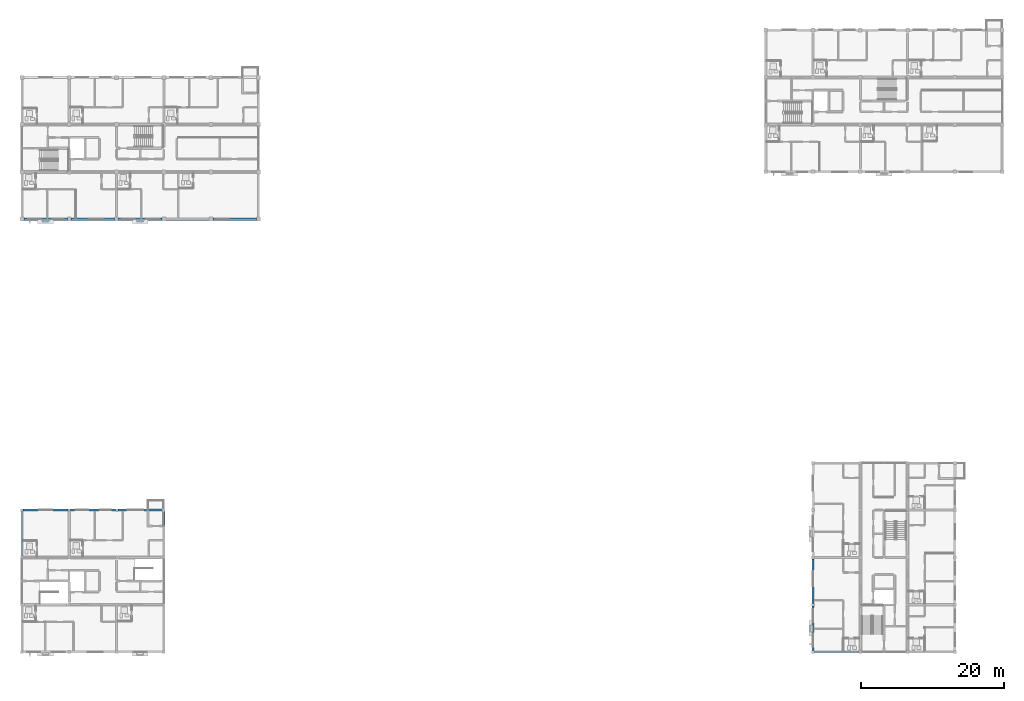
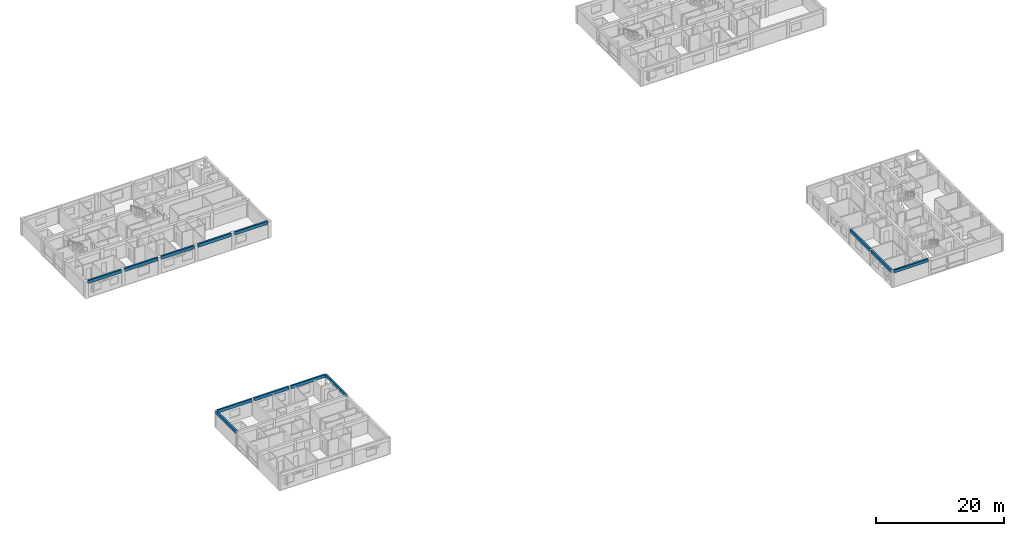
# One storey, part 10 of 49: 13 beams.
"""IFC4 building model written with IfcOpenShell, lengths in metres."""

from ifc_helpers import new_model, si_unit, direction, frame, origin, origin_2d, place, context, subcontext, project, spatial, rectangle, extrude, material, material_profile, profile_set, type_object, element, save


model = new_model("IFC4")

# Units and contexts
model_context = context("Model", 3, precision=1e-05, world=origin(), true_north=direction((0.0, 1.0)))
body_context = subcontext(model_context, "Body", "Model", "MODEL_VIEW")
ifc_project = project(units=[si_unit("LENGTHUNIT", "METRE"), si_unit("AREAUNIT", "SQUARE_METRE"), si_unit("VOLUMEUNIT", "CUBIC_METRE"), si_unit("PLANEANGLEUNIT", "RADIAN"), si_unit("MASSUNIT", "GRAM", prefix="KILO")], contexts=[model_context])

# Site, building, storey
site_placement = place(None, origin())
site = spatial("IfcSite", under=ifc_project, at=site_placement, CompositionType="ELEMENT")
building_placement = place(site_placement, origin())
building = spatial("IfcBuilding", under=site, at=building_placement, Name="Kernevlak Ridge Housing Community", CompositionType="ELEMENT")
storey_placement = place(building_placement, frame((0.0, 0.0, 30.800048828125)))
storey = spatial("IfcBuildingStorey", under=building, at=storey_placement, Name="L09", CompositionType="ELEMENT", Elevation=30.800048828125)

# Beams
ifc_material = material(Name="Concrete C35/45", Category="concrete")
ifc_material_profile_1 = material_profile(ifc_material, rectangle(XDim=0.300048828125, YDim=0.550048828125, at=origin_2d()), Name="RC 300x550")
ifc_profile_set_1 = profile_set([ifc_material_profile_1], Name="Concrete C35/45")
beam_type_1 = type_object("IfcBeamType", Name="SP-01", PredefinedType="SPANDREL", material=ifc_profile_set_1)
beam_1_placement = place(storey_placement, frame((126.199951171875, 15.60009765625, 2.925048828125), z_axis=(1.0, 0.0, 0.0), x_axis=(0.0, 1.0, 0.0)))
element("IfcBeam", 1, at=beam_1_placement, inside=storey, type_object=beam_type_1, Name="Beam SP-01 L09 1216", PredefinedType="SPANDREL", context=body_context, shape_type="SweptSolid", body=[
    extrude(rectangle(XDim=0.300048828125, YDim=0.550048828125, at=origin_2d()), origin(), (0.0, 0.0, 1.0), 6.199951171875),
])
for number, where, z_axis, x_axis, name in (
    (2, (15.60009765625, 28.97509765625, 2.925048828125), (0.0, 1.0, 0.0), (-1.0, 0.0, 0.0), "Beam SP-01 L09 1529"),
    (3, (35.39990234375, 28.97509765625, 2.925048828125), (0.0, 1.0, 0.0), (-1.0, 0.0, 0.0), "Beam SP-01 L09 1532"),
):
    element("IfcBeam", number, at=place(storey_placement, frame(where, z_axis=z_axis, x_axis=x_axis)), inside=storey, type_object=beam_type_1, Name=name, PredefinedType="SPANDREL", context=body_context, shape_type="SweptSolid", body=[
        extrude(rectangle(XDim=0.300048828125, YDim=0.550048828125, at=origin_2d()), origin(), (0.0, 0.0, 1.0), 6.25),
    ])
ifc_material_profile_2 = material_profile(ifc_material, rectangle(XDim=0.300048828125, YDim=0.60009765625, at=origin_2d()), Name="RC 300x600")
ifc_profile_set_2 = profile_set([ifc_material_profile_2], Name="Concrete C35/45")
beam_type_2 = type_object("IfcBeamType", Name="SP-02", PredefinedType="SPANDREL", material=ifc_profile_set_2)
beam_2_placement = place(storey_placement, frame((15.875, 76.0, 2.89990234375), z_axis=(1.0, 0.0, 0.0), x_axis=(0.0, 1.0, 0.0)))
element("IfcBeam", 4, at=beam_2_placement, inside=storey, type_object=beam_type_2, Name="Beam SP-02 L09 291", PredefinedType="SPANDREL", context=body_context, shape_type="SweptSolid", body=[
    extrude(rectangle(XDim=0.300048828125, YDim=0.60009765625, at=origin_2d()), origin(), (0.0, 0.0, 1.0), 6.050048828125),
])
beam_3_placement = place(storey_placement, frame((22.47509765625, 76.0, 2.89990234375), z_axis=(1.0, 0.0, 0.0), x_axis=(0.0, 1.0, 0.0)))
element("IfcBeam", 5, at=beam_3_placement, inside=storey, type_object=beam_type_2, Name="Beam SP-02 L09 292", PredefinedType="SPANDREL", context=body_context, shape_type="SweptSolid", body=[
    extrude(rectangle(XDim=0.300048828125, YDim=0.60009765625, at=origin_2d()), origin(), (0.0, 0.0, 1.0), 6.0498046875),
])
for number, where, z_axis, x_axis, name in (
    (6, (29.074951171875, 76.0, 2.89990234375), (1.0, 0.0, 0.0), (0.0, 1.0, 0.0), "Beam SP-02 L09 293"),
    (7, (35.675048828125, 76.0, 2.89990234375), (1.0, 0.0, 0.0), (0.0, 1.0, 0.0), "Beam SP-02 L09 294"),
    (8, (42.27490234375, 76.0, 2.89990234375), (1.0, 0.0, 0.0), (0.0, 1.0, 0.0), "Beam SP-02 L09 295"),
):
    element("IfcBeam", number, at=place(storey_placement, frame(where, z_axis=z_axis, x_axis=x_axis)), inside=storey, type_object=beam_type_2, Name=name, PredefinedType="SPANDREL", context=body_context, shape_type="SweptSolid", body=[
        extrude(rectangle(XDim=0.300048828125, YDim=0.60009765625, at=origin_2d()), origin(), (0.0, 0.0, 1.0), 6.050048828125),
    ])
beam_4_placement = place(storey_placement, frame((126.0, 15.800048828125, 2.89990234375), z_axis=(0.0, 1.0, 0.0), x_axis=(-1.0, 0.0, 0.0)))
element("IfcBeam", 9, at=beam_4_placement, inside=storey, type_object=beam_type_2, Name="Beam SP-02 L09 1200", PredefinedType="SPANDREL", context=body_context, shape_type="SweptSolid", body=[
    extrude(rectangle(XDim=0.300048828125, YDim=0.60009765625, at=origin_2d()), origin(), (0.0, 0.0, 1.0), 6.199951171875),
])
beam_5_placement = place(storey_placement, frame((126.0, 22.39990234375, 2.89990234375), z_axis=(0.0, 1.0, 0.0), x_axis=(-1.0, 0.0, 0.0)))
element("IfcBeam", 10, at=beam_5_placement, inside=storey, type_object=beam_type_2, Name="Beam SP-02 L09 1201", PredefinedType="SPANDREL", context=body_context, shape_type="SweptSolid", body=[
    extrude(rectangle(XDim=0.300048828125, YDim=0.60009765625, at=origin_2d()), origin(), (0.0, 0.0, 1.0), 6.2001953125),
])
for number, where, z_axis, x_axis, name in (
    (11, (15.77490234375, 35.39990234375, 2.89990234375), (1.0, 0.0, 0.0), (0.0, 1.0, 0.0), "Beam SP-02 L09 1524"),
    (12, (22.375, 35.39990234375, 2.89990234375), (1.0, 0.0, 0.0), (0.0, 1.0, 0.0), "Beam SP-02 L09 1525"),
    (13, (28.97509765625, 35.39990234375, 2.89990234375), (1.0, 0.0, 0.0), (0.0, 1.0, 0.0), "Beam SP-02 L09 1526"),
):
    element("IfcBeam", number, at=place(storey_placement, frame(where, z_axis=z_axis, x_axis=x_axis)), inside=storey, type_object=beam_type_2, Name=name, PredefinedType="SPANDREL", context=body_context, shape_type="SweptSolid", body=[
        extrude(rectangle(XDim=0.300048828125, YDim=0.60009765625, at=origin_2d()), origin(), (0.0, 0.0, 1.0), 6.25),
    ])

save(model, "model.ifc")
